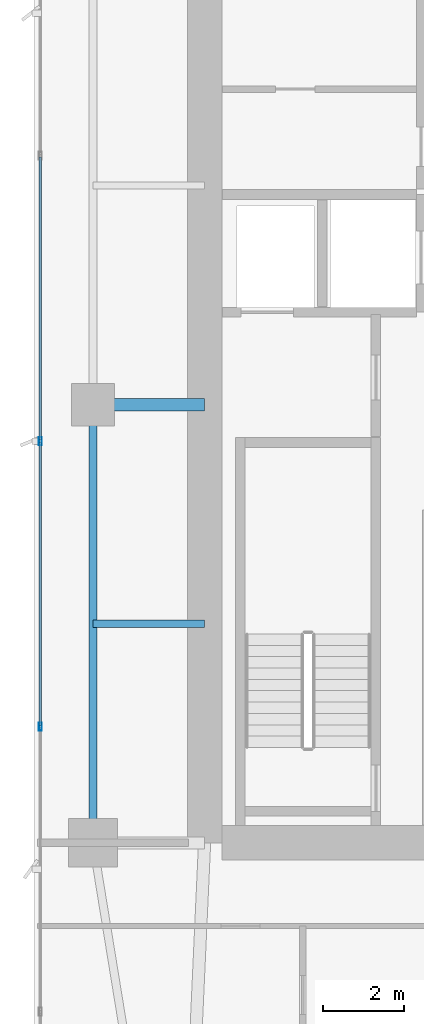
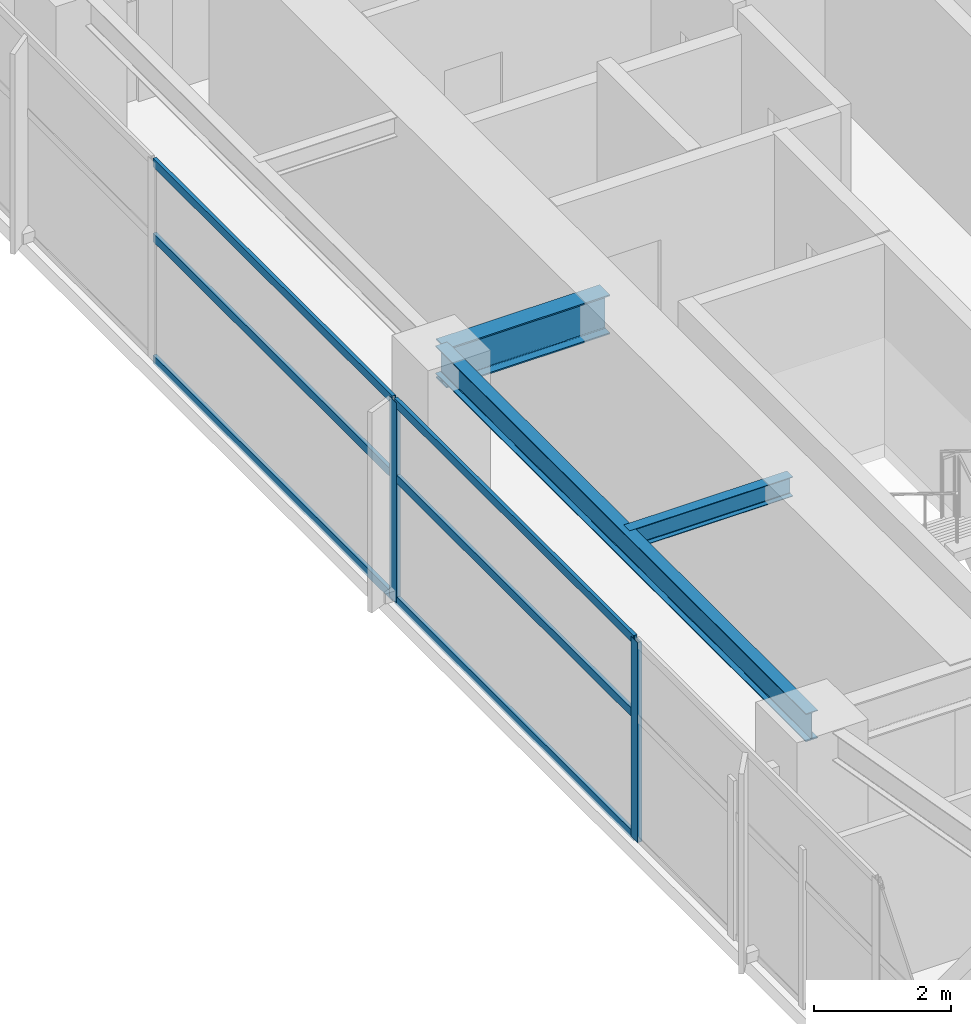
# One storey, part 8 of 28: 8 members, 3 beams, 1 element without a shape of its own.
"""IFC4 building model written with IfcOpenShell, lengths in metres."""

import ifcopenshell
import ifcopenshell.guid

model = None  # the IFC model being written
_history = None  # IfcOwnerHistory: only IFC2X3 demands one
_inside = {}  # id of a spatial element -> (the spatial element, [elements in it])
_under = {}  # id of a project, library or spatial element -> (it, [spatial elements below it])
_declared = {}  # id of a project -> (the project, [libraries it declares])
_typed = {}  # id of a type object -> (the type object, [elements of that type])
_made_of = {}  # id of a material, layer set ... -> (it, [elements and type objects made of it])


def new_model(schema):
    """Start an empty IFC model of exactly this schema.

    Asked for "IFC4X3", IfcOpenShell would pick the latest addendum, in which some entities
    have other attributes; the version numbers below select the first issue.
    IFC2X3 requires an IfcOwnerHistory on every rooted entity: one is made here for all.
    """
    global model, _history
    if schema == "IFC4X3":
        model = ifcopenshell.file(schema_version=(4, 3, 0, 0))
    else:
        model = ifcopenshell.file(schema=schema)
    _inside.clear()
    _under.clear()
    _declared.clear()
    _typed.clear()
    _made_of.clear()
    _history = None
    if model.schema == "IFC2X3":
        org = make("IfcOrganization", Name="unknown")
        user = make(
            "IfcPersonAndOrganization",
            ThePerson=make("IfcPerson", FamilyName="unknown"),
            TheOrganization=org,
        )
        app = make(
            "IfcApplication",
            ApplicationDeveloper=org,
            Version="unknown",
            ApplicationFullName="unknown",
            ApplicationIdentifier="unknown",
        )
        _history = make(
            "IfcOwnerHistory",
            OwningUser=user,
            OwningApplication=app,
            ChangeAction="ADDED",
            CreationDate=0,
        )
    return model


def make(cls, **values):
    """One entity of the class cls with the attributes given. An attribute that is None is left unset."""
    return model.create_entity(
        cls, **{name: value for name, value in values.items() if value is not None}
    )


def rooted(cls, **values):
    """An entity with a GlobalId (a new one), such as an element, a storey or a relation."""
    return make(cls, GlobalId=ifcopenshell.guid.new(), OwnerHistory=_history, **values)


def si_unit(unit_type, name, prefix=None):
    """IfcSIUnit, for example si_unit("LENGTHUNIT", "METRE", prefix="MILLI")."""
    return make("IfcSIUnit", UnitType=unit_type, Prefix=prefix, Name=name)


def assignment(units):
    """IfcUnitAssignment: the units of a project."""
    return None if units is None else make("IfcUnitAssignment", Units=units)


def point(xyz):
    """IfcCartesianPoint."""
    return None if xyz is None else make("IfcCartesianPoint", Coordinates=xyz)


def direction(xyz):
    """IfcDirection."""
    return None if xyz is None else make("IfcDirection", DirectionRatios=xyz)


def frame(location, z_axis=None, x_axis=None):
    """IfcAxis2Placement3D, a coordinate frame: its origin and axes. An axis left out is left unset."""
    return make(
        "IfcAxis2Placement3D",
        Location=point(location),
        Axis=direction(z_axis),
        RefDirection=direction(x_axis),
    )


def frame_2d(location, x_axis=None):
    """IfcAxis2Placement2D, a coordinate frame in the plane: its origin and x axis."""
    return make(
        "IfcAxis2Placement2D", Location=point(location), RefDirection=direction(x_axis)
    )


def origin():
    """The frame at (0, 0, 0) with its axes left unset."""
    return frame((0.0, 0.0, 0.0))


def origin_2d():
    """The frame at (0, 0) in the plane with its x axis left unset."""
    return frame_2d((0.0, 0.0))


def place(relative_to, where):
    """IfcLocalPlacement: puts the frame where relative to a parent placement (None: the world)."""
    return make(
        "IfcLocalPlacement", PlacementRelTo=relative_to, RelativePlacement=where
    )


def context(
    kind, dimensions, precision=None, world=None, true_north=None, identifier=None
):
    """IfcGeometricRepresentationContext, for example the 3D "Model" context."""
    return make(
        "IfcGeometricRepresentationContext",
        ContextIdentifier=identifier,
        ContextType=kind,
        CoordinateSpaceDimension=dimensions,
        Precision=precision,
        WorldCoordinateSystem=world,
        TrueNorth=true_north,
    )


def subcontext(parent, identifier, kind, view, scale=None):
    """IfcGeometricRepresentationSubContext, for example "Body" below "Model"."""
    return make(
        "IfcGeometricRepresentationSubContext",
        ContextIdentifier=identifier,
        ContextType=kind,
        ParentContext=parent,
        TargetScale=scale,
        TargetView=view,
    )


def project(units=None, contexts=None):
    """IfcProject with its units and contexts."""
    return rooted(
        "IfcProject",
        Name="project",
        RepresentationContexts=contexts,
        UnitsInContext=assignment(units),
    )


def spatial(cls, under=None, at=None, **own):
    """A site, building, storey or space (cls), placed at a placement, below another one or the project."""
    s = rooted(cls, ObjectPlacement=at, **own)
    if under is not None:
        _under.setdefault(under.id(), (under, []))[1].append(s)
    return s


def profile(cls, at=None, kind="AREA", **sizes):
    """A parametric profile (cls). Its sizes go by their IFC names, for example OverallWidth=200.0."""
    return make(cls, ProfileType=kind, Position=at, **sizes)


def hollow_rectangle(**sizes):
    """IfcRectangleHollowProfileDef."""
    return profile("IfcRectangleHollowProfileDef", **sizes)


def i_section(**sizes):
    """IfcIShapeProfileDef."""
    return profile("IfcIShapeProfileDef", **sizes)


def extrude(swept, where, along, depth):
    """IfcExtrudedAreaSolid: the profile swept, set in the frame where, extruded along a direction by depth."""
    return make(
        "IfcExtrudedAreaSolid",
        SweptArea=swept,
        Position=where,
        ExtrudedDirection=direction(along),
        Depth=depth,
    )


def shape(context_of_items, identifier, shape_type, items):
    """IfcShapeRepresentation: the items that make up one representation, for example the "Body"."""
    return make(
        "IfcShapeRepresentation",
        ContextOfItems=context_of_items,
        RepresentationIdentifier=identifier,
        RepresentationType=shape_type,
        Items=items,
    )


def material(Name=None, Category=None):
    """IfcMaterial."""
    return make("IfcMaterial", Name=Name, Category=Category)


def layer(
    of_material, thickness, ventilated=None, Name=None, Category=None, Priority=None
):
    """IfcMaterialLayer: one layer of a wall or slab, of a material (None: an air gap)."""
    return make(
        "IfcMaterialLayer",
        Material=of_material,
        LayerThickness=thickness,
        IsVentilated=ventilated,
        Name=Name,
        Category=Category,
        Priority=Priority,
    )


def layer_set(layers, Name=None):
    """IfcMaterialLayerSet."""
    return make("IfcMaterialLayerSet", MaterialLayers=layers, LayerSetName=Name)


def material_profile(
    of_material, cross_section, Name=None, Category=None, Priority=None
):
    """IfcMaterialProfile: a cross section and its material."""
    return make(
        "IfcMaterialProfile",
        Name=Name,
        Material=of_material,
        Profile=cross_section,
        Priority=Priority,
        Category=Category,
    )


def profile_set(profiles, Name=None, composite=None):
    """IfcMaterialProfileSet."""
    return make(
        "IfcMaterialProfileSet",
        Name=Name,
        MaterialProfiles=profiles,
        CompositeProfile=composite,
    )


def made_of(thing, what):
    """Note that an element or type object is made of a material, layer set ...; save() writes the relation."""
    if what is not None:
        _made_of.setdefault(what.id(), (what, []))[1].append(thing)
    return thing


def type_object(cls, material=None, **own):
    """A type object (cls), such as IfcWallType, which elements share."""
    return made_of(rooted(cls, **own), material)


def element(
    cls,
    number,
    at=None,
    inside=None,
    cuts=None,
    type_object=None,
    material=None,
    context=None,
    identifier="Body",
    shape_type=None,
    held_by="IfcProductDefinitionShape",
    body=None,
    shapes=None,
    **own,
):
    """One element of the class cls, such as IfcWall. Its Tag is "e" and its number.

    at: its placement. inside: the storey or other place that contains it. cuts: it is an
    opening in that element (IfcRelVoidsElement). A single representation is given by context,
    identifier, shape_type and body (its items); several are given by shapes. held_by: the class
    of the entity that holds the representations. save() writes the other relations.
    """
    e = rooted(cls, Tag="e%d" % number, ObjectPlacement=at, **own)
    if body is not None:
        shapes = [shape(context, identifier, shape_type, body)]
    if shapes is not None:
        e.Representation = make(held_by, Representations=shapes)
    if inside is not None:
        _inside.setdefault(inside.id(), (inside, []))[1].append(e)
    if cuts is not None:
        rooted(
            "IfcRelVoidsElement", RelatingBuildingElement=cuts, RelatedOpeningElement=e
        )
    if type_object is not None:
        _typed.setdefault(type_object.id(), (type_object, []))[1].append(e)
    return made_of(e, material)


def aggregate(whole, parts):
    """IfcRelAggregates: a whole, such as a stair, and the parts it consists of."""
    return rooted("IfcRelAggregates", RelatingObject=whole, RelatedObjects=parts)


def save(model, path):
    """Write the relations noted so far, then the file.

    IfcRelAggregates (storeys below a building ...), IfcRelContainedInSpatialStructure (elements
    in a storey), IfcRelDefinesByType, IfcRelAssociatesMaterial and IfcRelDeclares: one each for
    every whole, place, type object, material and project.
    """
    for whole, parts in _under.values():
        aggregate(whole, parts)
    for where, things in _inside.values():
        rooted(
            "IfcRelContainedInSpatialStructure",
            RelatedElements=things,
            RelatingStructure=where,
        )
    for kind, things in _typed.values():
        rooted("IfcRelDefinesByType", RelatedObjects=things, RelatingType=kind)
    for what, things in _made_of.values():
        rooted("IfcRelAssociatesMaterial", RelatedObjects=things, RelatingMaterial=what)
    for by, libraries in _declared.values():
        rooted("IfcRelDeclares", RelatingContext=by, RelatedDefinitions=libraries)
    model.write(path)


model = new_model("IFC4")

# Units and contexts
model_context = context("Model", 3, precision=1e-05, world=origin(), true_north=direction((0.0, 1.0)))
body_context = subcontext(model_context, "Body", "Model", "MODEL_VIEW")
ifc_project = project(units=[si_unit("LENGTHUNIT", "METRE"), si_unit("AREAUNIT", "SQUARE_METRE"), si_unit("VOLUMEUNIT", "CUBIC_METRE"), si_unit("PLANEANGLEUNIT", "RADIAN"), si_unit("MASSUNIT", "GRAM", prefix="KILO")], contexts=[model_context])

# Site, building, storey
site_placement = place(None, origin())
site = spatial("IfcSite", under=ifc_project, at=site_placement, CompositionType="ELEMENT")
building_placement = place(site_placement, origin())
building = spatial("IfcBuilding", under=site, at=building_placement, Name="Calvorn Quay Hotel", CompositionType="ELEMENT")
storey_placement = place(building_placement, frame((0.0, 0.0, 108.800048828125)))
storey = spatial("IfcBuildingStorey", under=building, at=storey_placement, Name="L26", CompositionType="ELEMENT", Elevation=108.800048828125)

# Beams
ifc_material_1 = material(Name="Steel Q390GJC", Category="steel")
ifc_material_profile_1 = material_profile(ifc_material_1, i_section(OverallWidth=0.300048828125, OverallDepth=0.699951171875, WebThickness=0.012939453125, FlangeThickness=0.02392578125, FilletRadius=0.02392578125, at=origin_2d()), Name="HN700x300x13x24")
ifc_profile_set_1 = profile_set([ifc_material_profile_1], Name="Steel Q390GJC")
beam_type_1 = type_object("IfcBeamType", Name="BM-GIRD-MAIN", PredefinedType="BEAM", material=ifc_profile_set_1)
beam_1_placement = place(storey_placement, frame((1.449951171875, 27.60009765625, 3.18994140625), z_axis=(1.0, 0.0, 0.0), x_axis=(0.0, 1.0, 0.0)))
element("IfcBeam", 1, at=beam_1_placement, inside=storey, type_object=beam_type_1, Name="Beam BG-L26-W2", PredefinedType="BEAM", context=body_context, shape_type="SweptSolid", body=[
    extrude(i_section(OverallWidth=0.300048828125, OverallDepth=0.699951171875, WebThickness=0.012939453125, FlangeThickness=0.02392578125, FilletRadius=0.02392578125, at=origin_2d()), origin(), (0.0, 0.0, 1.0), 2.75),
])
ifc_material_2 = material(Name="Steel Q355B", Category="steel")
ifc_material_profile_2 = material_profile(ifc_material_2, i_section(OverallWidth=0.175048828125, OverallDepth=0.35009765625, WebThickness=0.007080078125, FlangeThickness=0.010986328125, FilletRadius=0.013916015625, at=origin_2d()), Name="HN350x175x7x11")
ifc_profile_set_2 = profile_set([ifc_material_profile_2], Name="Steel Q355B")
beam_type_2 = type_object("IfcBeamType", Name="BM-JOIST-SEC", PredefinedType="JOIST", material=ifc_profile_set_2)
beam_2_placement = place(storey_placement, frame((1.449951171875, 22.199951171875, 3.364990234375), z_axis=(1.0, 0.0, 0.0), x_axis=(0.0, 1.0, 0.0)))
element("IfcBeam", 2, at=beam_2_placement, inside=storey, type_object=beam_type_2, Name="Beam BJ-L26-W3", PredefinedType="JOIST", context=body_context, shape_type="SweptSolid", body=[
    extrude(i_section(OverallWidth=0.175048828125, OverallDepth=0.35009765625, WebThickness=0.007080078125, FlangeThickness=0.010986328125, FilletRadius=0.013916015625, at=origin_2d()), origin(), (0.0, 0.0, 1.0), 2.75),
])
ifc_material_3 = material(Name="Steel Q355B", Category="steel")
ifc_material_profile_3 = material_profile(ifc_material_3, i_section(OverallWidth=0.199951171875, OverallDepth=0.5, WebThickness=0.010009765625, FlangeThickness=0.01611328125, FilletRadius=0.01611328125, at=origin_2d()), Name="HN500x200x10x16")
ifc_profile_set_3 = profile_set([ifc_material_profile_3], Name="Steel Q355B")
beam_type_3 = type_object("IfcBeamType", Name="BM-SPANDREL-Z1", PredefinedType="SPANDREL", material=ifc_profile_set_3)
beam_3_placement = place(storey_placement, frame((1.449951171875, 16.800048828125, 3.2900390625), z_axis=(0.0, 1.0, 0.0), x_axis=(-1.0, 0.0, 0.0)))
element("IfcBeam", 3, at=beam_3_placement, inside=storey, type_object=beam_type_3, Name="Beam BSP-L26-W2", PredefinedType="SPANDREL", context=body_context, shape_type="SweptSolid", body=[
    extrude(i_section(OverallWidth=0.199951171875, OverallDepth=0.5, WebThickness=0.010009765625, FlangeThickness=0.01611328125, FilletRadius=0.01611328125, at=origin_2d()), origin(), (0.0, 0.0, 1.0), 10.800048828125),
])

# Curtain wall, members
ifc_material_4 = material(Name="Pale Anodised Aluminium and Low-E Glass", Category="aluminium")
ifc_layer = layer(ifc_material_4, 0.219970703125)
ifc_layer_set = layer_set([ifc_layer], Name="CW-SYS-Z2")
curtain_wall_type = type_object("IfcCurtainWallType", Name="CW-SYS-Z2", PredefinedType="NOTDEFINED", material=ifc_layer_set)
curtain_wall_placement = place(storey_placement, origin())
curtain_wall = element("IfcCurtainWall", 4, at=curtain_wall_placement, inside=storey, type_object=curtain_wall_type, Name="Tower West Curtain Wall (L26)", PredefinedType="NOTDEFINED")
ifc_material_5 = material(Name="Pale Anodised Aluminium 6063-T6", Category="aluminium")
ifc_material_profile_4 = material_profile(ifc_material_5, hollow_rectangle(XDim=0.070068359375, YDim=0.199951171875, WallThickness=0.00390625, at=origin_2d()), Name="ALU-M200x70x4")
ifc_profile_set_4 = profile_set([ifc_material_profile_4], Name="Pale Anodised Aluminium 6063-T6")
member_type_1 = type_object("IfcMemberType", Name="CW-SYS-Z2-MUL", PredefinedType="MULLION", material=ifc_profile_set_4)
member_1_placement = place(storey_placement, frame((0.14990234375, 19.666748046875, 0.0), z_axis=(0.0, 0.0, 1.0), x_axis=(-1.0, 0.0, 0.0)))
member_1 = element("IfcMember", 5, at=member_1_placement, type_object=member_type_1, Name="CW-L26-W mullion 3", PredefinedType="MULLION", context=body_context, shape_type="SweptSolid", body=[
    extrude(hollow_rectangle(XDim=0.070068359375, YDim=0.199951171875, WallThickness=0.00390625, at=origin_2d()), origin(), (0.0, 0.0, 1.0), 3.56005859375),
])
member_2_placement = place(storey_placement, frame((0.14990234375, 26.699951171875, 0.0), z_axis=(0.0, 0.0, 1.0), x_axis=(-1.0, 0.0, 0.0)))
member_2 = element("IfcMember", 6, at=member_2_placement, type_object=member_type_1, Name="CW-L26-W mullion 4", PredefinedType="MULLION", context=body_context, shape_type="SweptSolid", body=[
    extrude(hollow_rectangle(XDim=0.070068359375, YDim=0.199951171875, WallThickness=0.00390625, at=origin_2d()), origin(), (0.0, 0.0, 1.0), 3.56005859375),
])
ifc_material_6 = material(Name="Pale Anodised Aluminium 6063-T6", Category="aluminium")
ifc_material_profile_5 = material_profile(ifc_material_6, hollow_rectangle(XDim=0.06005859375, YDim=0.14990234375, WallThickness=0.00341796875, at=origin_2d()), Name="ALU-T150x60x3.5")
ifc_profile_set_5 = profile_set([ifc_material_profile_5], Name="Pale Anodised Aluminium 6063-T6")
member_type_2 = type_object("IfcMemberType", Name="CW-SYS-Z2-TRN", PredefinedType="USERDEFINED", material=ifc_profile_set_5)
member_3_placement = place(storey_placement, frame((0.14990234375, 19.69677734375, 0.030029296875), z_axis=(0.0, 1.0, 0.0), x_axis=(-1.0, 0.0, 0.0)))
member_3 = element("IfcMember", 7, at=member_3_placement, type_object=member_type_2, Name="CW-L26-W transom 3.1", ObjectType="TRANSOM", PredefinedType="USERDEFINED", context=body_context, shape_type="SweptSolid", body=[
    extrude(hollow_rectangle(XDim=0.06005859375, YDim=0.14990234375, WallThickness=0.00341796875, at=origin_2d()), origin(), (0.0, 0.0, 1.0), 6.97314453125),
])
member_4_placement = place(storey_placement, frame((0.14990234375, 19.69677734375, 2.199951171875), z_axis=(0.0, 1.0, 0.0), x_axis=(-1.0, 0.0, 0.0)))
member_4 = element("IfcMember", 8, at=member_4_placement, type_object=member_type_2, Name="CW-L26-W transom 3.2", ObjectType="TRANSOM", PredefinedType="USERDEFINED", context=body_context, shape_type="SweptSolid", body=[
    extrude(hollow_rectangle(XDim=0.06005859375, YDim=0.14990234375, WallThickness=0.00341796875, at=origin_2d()), origin(), (0.0, 0.0, 1.0), 6.97314453125),
])
member_5_placement = place(storey_placement, frame((0.14990234375, 19.69677734375, 3.530029296875), z_axis=(0.0, 1.0, 0.0), x_axis=(-1.0, 0.0, 0.0)))
member_5 = element("IfcMember", 9, at=member_5_placement, type_object=member_type_2, Name="CW-L26-W transom 3.3", ObjectType="TRANSOM", PredefinedType="USERDEFINED", context=body_context, shape_type="SweptSolid", body=[
    extrude(hollow_rectangle(XDim=0.06005859375, YDim=0.14990234375, WallThickness=0.00341796875, at=origin_2d()), origin(), (0.0, 0.0, 1.0), 6.97314453125),
])
member_6_placement = place(storey_placement, frame((0.14990234375, 26.72998046875, 0.030029296875), z_axis=(0.0, 1.0, 0.0), x_axis=(-1.0, 0.0, 0.0)))
member_6 = element("IfcMember", 10, at=member_6_placement, type_object=member_type_2, Name="CW-L26-W transom 4.1", ObjectType="TRANSOM", PredefinedType="USERDEFINED", context=body_context, shape_type="SweptSolid", body=[
    extrude(hollow_rectangle(XDim=0.06005859375, YDim=0.14990234375, WallThickness=0.00341796875, at=origin_2d()), origin(), (0.0, 0.0, 1.0), 6.973388671875),
])
member_7_placement = place(storey_placement, frame((0.14990234375, 26.72998046875, 2.199951171875), z_axis=(0.0, 1.0, 0.0), x_axis=(-1.0, 0.0, 0.0)))
member_7 = element("IfcMember", 11, at=member_7_placement, type_object=member_type_2, Name="CW-L26-W transom 4.2", ObjectType="TRANSOM", PredefinedType="USERDEFINED", context=body_context, shape_type="SweptSolid", body=[
    extrude(hollow_rectangle(XDim=0.06005859375, YDim=0.14990234375, WallThickness=0.00341796875, at=origin_2d()), origin(), (0.0, 0.0, 1.0), 6.973388671875),
])
member_8_placement = place(storey_placement, frame((0.14990234375, 26.72998046875, 3.530029296875), z_axis=(0.0, 1.0, 0.0), x_axis=(-1.0, 0.0, 0.0)))
member_8 = element("IfcMember", 12, at=member_8_placement, type_object=member_type_2, Name="CW-L26-W transom 4.3", ObjectType="TRANSOM", PredefinedType="USERDEFINED", context=body_context, shape_type="SweptSolid", body=[
    extrude(hollow_rectangle(XDim=0.06005859375, YDim=0.14990234375, WallThickness=0.00341796875, at=origin_2d()), origin(), (0.0, 0.0, 1.0), 6.973388671875),
])
aggregate(curtain_wall, [member_1, member_2, member_3, member_4, member_5, member_6, member_7, member_8])

save(model, "model.ifc")
